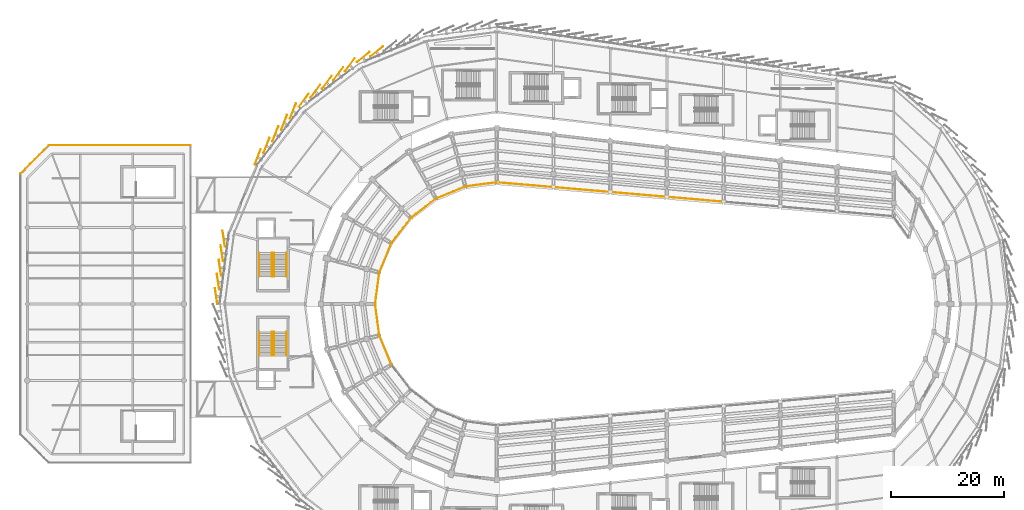
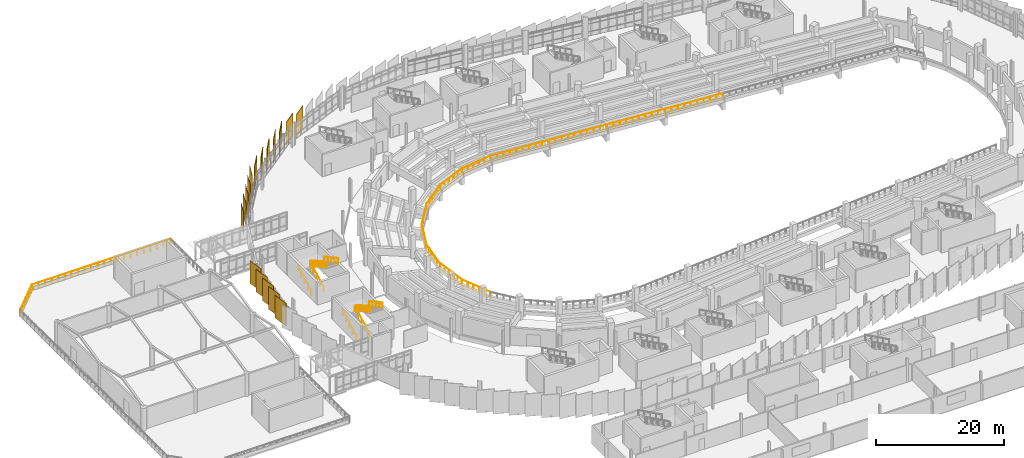
# One storey, part 114 of 120: 24 railings, 17 coverings.
"""IFC4 building model written with IfcOpenShell, lengths in metres."""

import ifcopenshell
import ifcopenshell.guid

model = None  # the IFC model being written
_history = None  # IfcOwnerHistory: only IFC2X3 demands one
_inside = {}  # id of a spatial element -> (the spatial element, [elements in it])
_under = {}  # id of a project, library or spatial element -> (it, [spatial elements below it])
_declared = {}  # id of a project -> (the project, [libraries it declares])
_typed = {}  # id of a type object -> (the type object, [elements of that type])
_made_of = {}  # id of a material, layer set ... -> (it, [elements and type objects made of it])


def new_model(schema):
    """Start an empty IFC model of exactly this schema.

    Asked for "IFC4X3", IfcOpenShell would pick the latest addendum, in which some entities
    have other attributes; the version numbers below select the first issue.
    IFC2X3 requires an IfcOwnerHistory on every rooted entity: one is made here for all.
    """
    global model, _history
    if schema == "IFC4X3":
        model = ifcopenshell.file(schema_version=(4, 3, 0, 0))
    else:
        model = ifcopenshell.file(schema=schema)
    _inside.clear()
    _under.clear()
    _declared.clear()
    _typed.clear()
    _made_of.clear()
    _history = None
    if model.schema == "IFC2X3":
        org = make("IfcOrganization", Name="unknown")
        user = make(
            "IfcPersonAndOrganization",
            ThePerson=make("IfcPerson", FamilyName="unknown"),
            TheOrganization=org,
        )
        app = make(
            "IfcApplication",
            ApplicationDeveloper=org,
            Version="unknown",
            ApplicationFullName="unknown",
            ApplicationIdentifier="unknown",
        )
        _history = make(
            "IfcOwnerHistory",
            OwningUser=user,
            OwningApplication=app,
            ChangeAction="ADDED",
            CreationDate=0,
        )
    return model


def make(cls, **values):
    """One entity of the class cls with the attributes given. An attribute that is None is left unset."""
    return model.create_entity(
        cls, **{name: value for name, value in values.items() if value is not None}
    )


def rooted(cls, **values):
    """An entity with a GlobalId (a new one), such as an element, a storey or a relation."""
    return make(cls, GlobalId=ifcopenshell.guid.new(), OwnerHistory=_history, **values)


def si_unit(unit_type, name, prefix=None):
    """IfcSIUnit, for example si_unit("LENGTHUNIT", "METRE", prefix="MILLI")."""
    return make("IfcSIUnit", UnitType=unit_type, Prefix=prefix, Name=name)


def assignment(units):
    """IfcUnitAssignment: the units of a project."""
    return None if units is None else make("IfcUnitAssignment", Units=units)


def point(xyz):
    """IfcCartesianPoint."""
    return None if xyz is None else make("IfcCartesianPoint", Coordinates=xyz)


def direction(xyz):
    """IfcDirection."""
    return None if xyz is None else make("IfcDirection", DirectionRatios=xyz)


def frame(location, z_axis=None, x_axis=None):
    """IfcAxis2Placement3D, a coordinate frame: its origin and axes. An axis left out is left unset."""
    return make(
        "IfcAxis2Placement3D",
        Location=point(location),
        Axis=direction(z_axis),
        RefDirection=direction(x_axis),
    )


def frame_2d(location, x_axis=None):
    """IfcAxis2Placement2D, a coordinate frame in the plane: its origin and x axis."""
    return make(
        "IfcAxis2Placement2D", Location=point(location), RefDirection=direction(x_axis)
    )


def origin():
    """The frame at (0, 0, 0) with its axes left unset."""
    return frame((0.0, 0.0, 0.0))


def origin_2d():
    """The frame at (0, 0) in the plane with its x axis left unset."""
    return frame_2d((0.0, 0.0))


def place(relative_to, where):
    """IfcLocalPlacement: puts the frame where relative to a parent placement (None: the world)."""
    return make(
        "IfcLocalPlacement", PlacementRelTo=relative_to, RelativePlacement=where
    )


def context(
    kind, dimensions, precision=None, world=None, true_north=None, identifier=None
):
    """IfcGeometricRepresentationContext, for example the 3D "Model" context."""
    return make(
        "IfcGeometricRepresentationContext",
        ContextIdentifier=identifier,
        ContextType=kind,
        CoordinateSpaceDimension=dimensions,
        Precision=precision,
        WorldCoordinateSystem=world,
        TrueNorth=true_north,
    )


def subcontext(parent, identifier, kind, view, scale=None):
    """IfcGeometricRepresentationSubContext, for example "Body" below "Model"."""
    return make(
        "IfcGeometricRepresentationSubContext",
        ContextIdentifier=identifier,
        ContextType=kind,
        ParentContext=parent,
        TargetScale=scale,
        TargetView=view,
    )


def project(units=None, contexts=None):
    """IfcProject with its units and contexts."""
    return rooted(
        "IfcProject",
        Name="project",
        RepresentationContexts=contexts,
        UnitsInContext=assignment(units),
    )


def spatial(cls, under=None, at=None, **own):
    """A site, building, storey or space (cls), placed at a placement, below another one or the project."""
    s = rooted(cls, ObjectPlacement=at, **own)
    if under is not None:
        _under.setdefault(under.id(), (under, []))[1].append(s)
    return s


def profile(cls, at=None, kind="AREA", **sizes):
    """A parametric profile (cls). Its sizes go by their IFC names, for example OverallWidth=200.0."""
    return make(cls, ProfileType=kind, Position=at, **sizes)


def rectangle(**sizes):
    """IfcRectangleProfileDef."""
    return profile("IfcRectangleProfileDef", **sizes)


def circle(**sizes):
    """IfcCircleProfileDef."""
    return profile("IfcCircleProfileDef", **sizes)


def extrude(swept, where, along, depth):
    """IfcExtrudedAreaSolid: the profile swept, set in the frame where, extruded along a direction by depth."""
    return make(
        "IfcExtrudedAreaSolid",
        SweptArea=swept,
        Position=where,
        ExtrudedDirection=direction(along),
        Depth=depth,
    )


def shape(context_of_items, identifier, shape_type, items):
    """IfcShapeRepresentation: the items that make up one representation, for example the "Body"."""
    return make(
        "IfcShapeRepresentation",
        ContextOfItems=context_of_items,
        RepresentationIdentifier=identifier,
        RepresentationType=shape_type,
        Items=items,
    )


def material(Name=None, Category=None):
    """IfcMaterial."""
    return make("IfcMaterial", Name=Name, Category=Category)


def layer(
    of_material, thickness, ventilated=None, Name=None, Category=None, Priority=None
):
    """IfcMaterialLayer: one layer of a wall or slab, of a material (None: an air gap)."""
    return make(
        "IfcMaterialLayer",
        Material=of_material,
        LayerThickness=thickness,
        IsVentilated=ventilated,
        Name=Name,
        Category=Category,
        Priority=Priority,
    )


def layer_set(layers, Name=None):
    """IfcMaterialLayerSet."""
    return make("IfcMaterialLayerSet", MaterialLayers=layers, LayerSetName=Name)


def made_of(thing, what):
    """Note that an element or type object is made of a material, layer set ...; save() writes the relation."""
    if what is not None:
        _made_of.setdefault(what.id(), (what, []))[1].append(thing)
    return thing


def type_object(cls, material=None, **own):
    """A type object (cls), such as IfcWallType, which elements share."""
    return made_of(rooted(cls, **own), material)


def element(
    cls,
    number,
    at=None,
    inside=None,
    cuts=None,
    type_object=None,
    material=None,
    context=None,
    identifier="Body",
    shape_type=None,
    held_by="IfcProductDefinitionShape",
    body=None,
    shapes=None,
    **own,
):
    """One element of the class cls, such as IfcWall. Its Tag is "e" and its number.

    at: its placement. inside: the storey or other place that contains it. cuts: it is an
    opening in that element (IfcRelVoidsElement). A single representation is given by context,
    identifier, shape_type and body (its items); several are given by shapes. held_by: the class
    of the entity that holds the representations. save() writes the other relations.
    """
    e = rooted(cls, Tag="e%d" % number, ObjectPlacement=at, **own)
    if body is not None:
        shapes = [shape(context, identifier, shape_type, body)]
    if shapes is not None:
        e.Representation = make(held_by, Representations=shapes)
    if inside is not None:
        _inside.setdefault(inside.id(), (inside, []))[1].append(e)
    if cuts is not None:
        rooted(
            "IfcRelVoidsElement", RelatingBuildingElement=cuts, RelatedOpeningElement=e
        )
    if type_object is not None:
        _typed.setdefault(type_object.id(), (type_object, []))[1].append(e)
    return made_of(e, material)


def aggregate(whole, parts):
    """IfcRelAggregates: a whole, such as a stair, and the parts it consists of."""
    return rooted("IfcRelAggregates", RelatingObject=whole, RelatedObjects=parts)


def save(model, path):
    """Write the relations noted so far, then the file.

    IfcRelAggregates (storeys below a building ...), IfcRelContainedInSpatialStructure (elements
    in a storey), IfcRelDefinesByType, IfcRelAssociatesMaterial and IfcRelDeclares: one each for
    every whole, place, type object, material and project.
    """
    for whole, parts in _under.values():
        aggregate(whole, parts)
    for where, things in _inside.values():
        rooted(
            "IfcRelContainedInSpatialStructure",
            RelatedElements=things,
            RelatingStructure=where,
        )
    for kind, things in _typed.values():
        rooted("IfcRelDefinesByType", RelatedObjects=things, RelatingType=kind)
    for what, things in _made_of.values():
        rooted("IfcRelAssociatesMaterial", RelatedObjects=things, RelatingMaterial=what)
    for by, libraries in _declared.values():
        rooted("IfcRelDeclares", RelatingContext=by, RelatedDefinitions=libraries)
    model.write(path)


model = new_model("IFC4")

# Units and contexts
model_context = context("Model", 3, precision=1e-05, world=origin(), true_north=direction((0.0, 1.0)))
body_context = subcontext(model_context, "Body", "Model", "MODEL_VIEW")
ifc_project = project(units=[si_unit("LENGTHUNIT", "METRE"), si_unit("AREAUNIT", "SQUARE_METRE"), si_unit("VOLUMEUNIT", "CUBIC_METRE"), si_unit("PLANEANGLEUNIT", "RADIAN"), si_unit("MASSUNIT", "GRAM", prefix="KILO")], contexts=[model_context])

# Site, building, storey
site_placement = place(None, origin())
site = spatial("IfcSite", under=ifc_project, at=site_placement, CompositionType="ELEMENT")
building_placement = place(site_placement, origin())
building = spatial("IfcBuilding", under=site, at=building_placement, Name="Sohan Crest Arena", CompositionType="ELEMENT")
storey_placement = place(building_placement, frame((0.0, 0.0, 13.5)))
storey = spatial("IfcBuildingStorey", under=building, at=storey_placement, Name="L03", CompositionType="ELEMENT", Elevation=13.5)

# Railings
ifc_material_1 = material(Name="Powder-coated wrought steel balustrade", Category="steel")
railing_type_1 = type_object("IfcRailingType", Name="ARC-GRD-01", PredefinedType="GUARDRAIL", material=ifc_material_1)
for number, where, name in (
    (1, (58.5, 73.030029296875, 2.25), "Stair well slot guard GRD-005"),
    (2, (58.5, 87.030029296875, 2.25), "Stair well slot guard GRD-012"),
):
    element("IfcRailing", number, at=place(storey_placement, frame(where)), inside=storey, type_object=railing_type_1, Name=name, PredefinedType="GUARDRAIL", context=body_context, shape_type="SweptSolid", body=[
        extrude(circle(Radius=0.02392578125, at=origin_2d()), frame((0.0, 0.0, 1.076171875), z_axis=(0.0, -0.87313487534, 0.487478706678), x_axis=(1.0, 0.0, 0.0)), (0.0, 0.0, 1.0), 4.615478515625),
        extrude(circle(Radius=0.02099609375, at=origin_2d()), origin(), (0.0, 0.0, 1.0), 1.052001953125),
        extrude(circle(Radius=0.02099609375, at=origin_2d()), frame((0.0, -1.007568359375, 0.5625)), (0.0, 0.0, 1.0), 1.052001953125),
        extrude(circle(Radius=0.02099609375, at=origin_2d()), frame((0.0, -2.01513671875, 1.125)), (0.0, 0.0, 1.0), 1.052001953125),
        extrude(circle(Radius=0.02099609375, at=origin_2d()), frame((0.0, -3.0224609375, 1.6875)), (0.0, 0.0, 1.0), 1.052001953125),
        extrude(circle(Radius=0.02099609375, at=origin_2d()), frame((0.0, -4.030029296875, 2.25)), (0.0, 0.0, 1.0), 1.052001953125),
    ])
railing_1_placement = place(storey_placement, frame((43.9599609375, 106.0, 0.0)))
element("IfcRailing", 3, at=railing_1_placement, inside=storey, type_object=railing_type_1, Name="Foyer roof garden balustrade GRD-296", PredefinedType="GUARDRAIL", context=body_context, shape_type="SweptSolid", body=[
    extrude(circle(Radius=0.02392578125, at=origin_2d()), frame((0.0, 0.0, 1.076171875), z_axis=(-1.0, 0.0, 0.0), x_axis=(0.0, -1.0, 0.0)), (0.0, 0.0, 1.0), 24.919921875),
    extrude(circle(Radius=0.02099609375, at=origin_2d()), origin(), (0.0, 0.0, 1.0), 1.052001953125),
    extrude(circle(Radius=0.02099609375, at=origin_2d()), frame((-1.186767578125, 0.0, 0.0)), (0.0, 0.0, 1.0), 1.052001953125),
    extrude(circle(Radius=0.02099609375, at=origin_2d()), frame((-2.373291015625, 0.0, 0.0)), (0.0, 0.0, 1.0), 1.052001953125),
    extrude(circle(Radius=0.02099609375, at=origin_2d()), frame((-3.56005859375, 0.0, 0.0)), (0.0, 0.0, 1.0), 1.052001953125),
    extrude(circle(Radius=0.02099609375, at=origin_2d()), frame((-4.74658203125, 0.0, 0.0)), (0.0, 0.0, 1.0), 1.052001953125),
    extrude(circle(Radius=0.02099609375, at=origin_2d()), frame((-5.933349609375, 0.0, 0.0)), (0.0, 0.0, 1.0), 1.052001953125),
    extrude(circle(Radius=0.02099609375, at=origin_2d()), frame((-7.119873046875, 0.0, 0.0)), (0.0, 0.0, 1.0), 1.052001953125),
    extrude(circle(Radius=0.02099609375, at=origin_2d()), frame((-8.306640625, 0.0, 0.0)), (0.0, 0.0, 1.0), 1.052001953125),
    extrude(circle(Radius=0.02099609375, at=origin_2d()), frame((-9.493408203125, 0.0, 0.0)), (0.0, 0.0, 1.0), 1.052001953125),
    extrude(circle(Radius=0.02099609375, at=origin_2d()), frame((-10.679931640625, 0.0, 0.0)), (0.0, 0.0, 1.0), 1.052001953125),
    extrude(circle(Radius=0.02099609375, at=origin_2d()), frame((-11.86669921875, 0.0, 0.0)), (0.0, 0.0, 1.0), 1.052001953125),
    extrude(circle(Radius=0.02099609375, at=origin_2d()), frame((-13.05322265625, 0.0, 0.0)), (0.0, 0.0, 1.0), 1.052001953125),
    extrude(circle(Radius=0.02099609375, at=origin_2d()), frame((-14.239990234375, 0.0, 0.0)), (0.0, 0.0, 1.0), 1.052001953125),
    extrude(circle(Radius=0.02099609375, at=origin_2d()), frame((-15.426513671875, 0.0, 0.0)), (0.0, 0.0, 1.0), 1.052001953125),
    extrude(circle(Radius=0.02099609375, at=origin_2d()), frame((-16.61328125, 0.0, 0.0)), (0.0, 0.0, 1.0), 1.052001953125),
    extrude(circle(Radius=0.02099609375, at=origin_2d()), frame((-17.800048828125, 0.0, 0.0)), (0.0, 0.0, 1.0), 1.052001953125),
    extrude(circle(Radius=0.02099609375, at=origin_2d()), frame((-18.986572265625, 0.0, 0.0)), (0.0, 0.0, 1.0), 1.052001953125),
    extrude(circle(Radius=0.02099609375, at=origin_2d()), frame((-20.17333984375, 0.0, 0.0)), (0.0, 0.0, 1.0), 1.052001953125),
    extrude(circle(Radius=0.02099609375, at=origin_2d()), frame((-21.35986328125, 0.0, 0.0)), (0.0, 0.0, 1.0), 1.052001953125),
    extrude(circle(Radius=0.02099609375, at=origin_2d()), frame((-22.546630859375, 0.0, 0.0)), (0.0, 0.0, 1.0), 1.052001953125),
    extrude(circle(Radius=0.02099609375, at=origin_2d()), frame((-23.733154296875, 0.0, 0.0)), (0.0, 0.0, 1.0), 1.052001953125),
    extrude(circle(Radius=0.02099609375, at=origin_2d()), frame((-24.919921875, 0.0, 0.0)), (0.0, 0.0, 1.0), 1.052001953125),
])
railing_2_placement = place(storey_placement, frame((18.971923828125, 105.971923828125, 0.0)))
element("IfcRailing", 4, at=railing_2_placement, inside=storey, type_object=railing_type_1, Name="Foyer roof garden balustrade GRD-297", PredefinedType="GUARDRAIL", context=body_context, shape_type="SweptSolid", body=[
    extrude(circle(Radius=0.02392578125, at=origin_2d()), frame((0.0, 0.0, 1.076171875), z_axis=(-0.707106781187, -0.707106781187, 0.0), x_axis=(0.707106781187, -0.707106781187, 0.0)), (0.0, 0.0, 1.0), 6.99169921875),
    extrude(circle(Radius=0.02099609375, at=origin_2d()), origin(), (0.0, 0.0, 1.0), 1.052001953125),
    extrude(circle(Radius=0.02099609375, at=origin_2d()), frame((-0.823974609375, -0.823974609375, 0.0)), (0.0, 0.0, 1.0), 1.052001953125),
    extrude(circle(Radius=0.02099609375, at=origin_2d()), frame((-1.64794921875, -1.64794921875, 0.0)), (0.0, 0.0, 1.0), 1.052001953125),
    extrude(circle(Radius=0.02099609375, at=origin_2d()), frame((-2.471923828125, -2.471923828125, 0.0)), (0.0, 0.0, 1.0), 1.052001953125),
    extrude(circle(Radius=0.02099609375, at=origin_2d()), frame((-3.2958984375, -3.2958984375, 0.0)), (0.0, 0.0, 1.0), 1.052001953125),
    extrude(circle(Radius=0.02099609375, at=origin_2d()), frame((-4.119873046875, -4.119873046875, 0.0)), (0.0, 0.0, 1.0), 1.052001953125),
    extrude(circle(Radius=0.02099609375, at=origin_2d()), frame((-4.94384765625, -4.94384765625, 0.0)), (0.0, 0.0, 1.0), 1.052001953125),
])
ifc_material_2 = material(Name="Laminated glass and steel sightline guard", Category="steel")
railing_type_2 = type_object("IfcRailingType", Name="ARC-GRD-02", PredefinedType="GUARDRAIL", material=ifc_material_2)
railing_3_placement = place(storey_placement, frame((97.9599609375, 99.445068359375, 0.85009765625)))
element("IfcRailing", 5, at=railing_3_placement, inside=storey, type_object=railing_type_2, Name="Upper tier cantilevered sightline guard GRD-157", PredefinedType="GUARDRAIL", context=body_context, shape_type="SweptSolid", body=[
    extrude(circle(Radius=0.02392578125, at=origin_2d()), frame((0.0, 0.0, 1.1259765625), z_axis=(-0.991431847367, -0.130625005366, 0.0), x_axis=(0.130625005366, -0.991431847367, 0.0)), (0.0, 0.0, 1.0), 5.519287109375),
    extrude(circle(Radius=0.02099609375, at=origin_2d()), origin(), (0.0, 0.0, 1.0), 1.101806640625),
    extrude(circle(Radius=0.02099609375, at=origin_2d()), frame((-1.094482421875, -0.144287109375, 0.0)), (0.0, 0.0, 1.0), 1.101806640625),
    extrude(circle(Radius=0.02099609375, at=origin_2d()), frame((-2.188720703125, -0.288330078125, 0.0)), (0.0, 0.0, 1.0), 1.101806640625),
    extrude(circle(Radius=0.02099609375, at=origin_2d()), frame((-3.283203125, -0.4326171875, 0.0)), (0.0, 0.0, 1.0), 1.101806640625),
    extrude(circle(Radius=0.02099609375, at=origin_2d()), frame((-4.37744140625, -0.57666015625, 0.0)), (0.0, 0.0, 1.0), 1.101806640625),
    extrude(circle(Radius=0.02099609375, at=origin_2d()), frame((-5.471923828125, -0.720947265625, 0.0)), (0.0, 0.0, 1.0), 1.101806640625),
])
railing_4_placement = place(storey_placement, frame((92.410888671875, 98.7041015625, 0.85009765625)))
element("IfcRailing", 6, at=railing_4_placement, inside=storey, type_object=railing_type_2, Name="Upper tier cantilevered sightline guard GRD-158", PredefinedType="GUARDRAIL", context=body_context, shape_type="SweptSolid", body=[
    extrude(circle(Radius=0.02392578125, at=origin_2d()), frame((0.0, 0.0, 1.1259765625), z_axis=(-0.92381462183, -0.382840103037, 0.0), x_axis=(0.382840103037, -0.92381462183, 0.0)), (0.0, 0.0, 1.0), 5.519287109375),
    extrude(circle(Radius=0.02099609375, at=origin_2d()), origin(), (0.0, 0.0, 1.0), 1.101806640625),
    extrude(circle(Radius=0.02099609375, at=origin_2d()), frame((-1.019775390625, -0.422607421875, 0.0)), (0.0, 0.0, 1.0), 1.101806640625),
    extrude(circle(Radius=0.02099609375, at=origin_2d()), frame((-2.03955078125, -0.84521484375, 0.0)), (0.0, 0.0, 1.0), 1.101806640625),
    extrude(circle(Radius=0.02099609375, at=origin_2d()), frame((-3.059326171875, -1.267822265625, 0.0)), (0.0, 0.0, 1.0), 1.101806640625),
    extrude(circle(Radius=0.02099609375, at=origin_2d()), frame((-4.0791015625, -1.6904296875, 0.0)), (0.0, 0.0, 1.0), 1.101806640625),
    extrude(circle(Radius=0.02099609375, at=origin_2d()), frame((-5.098876953125, -2.113037109375, 0.0)), (0.0, 0.0, 1.0), 1.101806640625),
])
railing_5_placement = place(storey_placement, frame((87.242919921875, 96.552001953125, 0.85009765625)))
element("IfcRailing", 7, at=railing_5_placement, inside=storey, type_object=railing_type_2, Name="Upper tier cantilevered sightline guard GRD-159", PredefinedType="GUARDRAIL", context=body_context, shape_type="SweptSolid", body=[
    extrude(circle(Radius=0.02392578125, at=origin_2d()), frame((0.0, 0.0, 1.1259765625), z_axis=(-0.793197524177, -0.608964438732, 0.0), x_axis=(0.608964438732, -0.793197524177, 0.0)), (0.0, 0.0, 1.0), 5.519287109375),
    extrude(circle(Radius=0.02099609375, at=origin_2d()), origin(), (0.0, 0.0, 1.0), 1.101806640625),
    extrude(circle(Radius=0.02099609375, at=origin_2d()), frame((-0.87548828125, -0.672119140625, 0.0)), (0.0, 0.0, 1.0), 1.101806640625),
    extrude(circle(Radius=0.02099609375, at=origin_2d()), frame((-1.751220703125, -1.344482421875, 0.0)), (0.0, 0.0, 1.0), 1.101806640625),
    extrude(circle(Radius=0.02099609375, at=origin_2d()), frame((-2.626708984375, -2.0166015625, 0.0)), (0.0, 0.0, 1.0), 1.101806640625),
    extrude(circle(Radius=0.02099609375, at=origin_2d()), frame((-3.50244140625, -2.68896484375, 0.0)), (0.0, 0.0, 1.0), 1.101806640625),
    extrude(circle(Radius=0.02099609375, at=origin_2d()), frame((-4.3779296875, -3.361083984375, 0.0)), (0.0, 0.0, 1.0), 1.101806640625),
])
railing_6_placement = place(storey_placement, frame((82.80908203125, 93.135009765625, 0.85009765625)))
element("IfcRailing", 8, at=railing_6_placement, inside=storey, type_object=railing_type_2, Name="Upper tier cantilevered sightline guard GRD-160", PredefinedType="GUARDRAIL", context=body_context, shape_type="SweptSolid", body=[
    extrude(circle(Radius=0.02392578125, at=origin_2d()), frame((0.0, 0.0, 1.1259765625), z_axis=(-0.608964438732, -0.793197524177, 0.0), x_axis=(0.793197524177, -0.608964438732, 0.0)), (0.0, 0.0, 1.0), 5.519287109375),
    extrude(circle(Radius=0.02099609375, at=origin_2d()), origin(), (0.0, 0.0, 1.0), 1.101806640625),
    extrude(circle(Radius=0.02099609375, at=origin_2d()), frame((-0.672119140625, -0.87548828125, 0.0)), (0.0, 0.0, 1.0), 1.101806640625),
    extrude(circle(Radius=0.02099609375, at=origin_2d()), frame((-1.344482421875, -1.751220703125, 0.0)), (0.0, 0.0, 1.0), 1.101806640625),
    extrude(circle(Radius=0.02099609375, at=origin_2d()), frame((-2.0166015625, -2.626708984375, 0.0)), (0.0, 0.0, 1.0), 1.101806640625),
    extrude(circle(Radius=0.02099609375, at=origin_2d()), frame((-2.68896484375, -3.50244140625, 0.0)), (0.0, 0.0, 1.0), 1.101806640625),
    extrude(circle(Radius=0.02099609375, at=origin_2d()), frame((-3.361083984375, -4.3779296875, 0.0)), (0.0, 0.0, 1.0), 1.101806640625),
])
railing_7_placement = place(storey_placement, frame((79.408935546875, 88.68798828125, 0.85009765625)))
element("IfcRailing", 9, at=railing_7_placement, inside=storey, type_object=railing_type_2, Name="Upper tier cantilevered sightline guard GRD-161", PredefinedType="GUARDRAIL", context=body_context, shape_type="SweptSolid", body=[
    extrude(circle(Radius=0.02392578125, at=origin_2d()), frame((0.0, 0.0, 1.1259765625), z_axis=(-0.382840103037, -0.92381462183, 0.0), x_axis=(0.92381462183, -0.382840103037, 0.0)), (0.0, 0.0, 1.0), 5.519287109375),
    extrude(circle(Radius=0.02099609375, at=origin_2d()), origin(), (0.0, 0.0, 1.0), 1.101806640625),
    extrude(circle(Radius=0.02099609375, at=origin_2d()), frame((-0.422607421875, -1.019775390625, 0.0)), (0.0, 0.0, 1.0), 1.101806640625),
    extrude(circle(Radius=0.02099609375, at=origin_2d()), frame((-0.84521484375, -2.03955078125, 0.0)), (0.0, 0.0, 1.0), 1.101806640625),
    extrude(circle(Radius=0.02099609375, at=origin_2d()), frame((-1.267822265625, -3.059326171875, 0.0)), (0.0, 0.0, 1.0), 1.101806640625),
    extrude(circle(Radius=0.02099609375, at=origin_2d()), frame((-1.6904296875, -4.0791015625, 0.0)), (0.0, 0.0, 1.0), 1.101806640625),
    extrude(circle(Radius=0.02099609375, at=origin_2d()), frame((-2.113037109375, -5.098876953125, 0.0)), (0.0, 0.0, 1.0), 1.101806640625),
])
railing_8_placement = place(storey_placement, frame((77.27587890625, 83.511962890625, 0.85009765625)))
element("IfcRailing", 10, at=railing_8_placement, inside=storey, type_object=railing_type_2, Name="Upper tier cantilevered sightline guard GRD-162", PredefinedType="GUARDRAIL", context=body_context, shape_type="SweptSolid", body=[
    extrude(circle(Radius=0.02392578125, at=origin_2d()), frame((0.0, 0.0, 1.1259765625), z_axis=(-0.130625005366, -0.991431847367, 0.0), x_axis=(0.991431847367, -0.130625005366, 0.0)), (0.0, 0.0, 1.0), 5.519287109375),
    extrude(circle(Radius=0.02099609375, at=origin_2d()), origin(), (0.0, 0.0, 1.0), 1.101806640625),
    extrude(circle(Radius=0.02099609375, at=origin_2d()), frame((-0.144287109375, -1.094482421875, 0.0)), (0.0, 0.0, 1.0), 1.101806640625),
    extrude(circle(Radius=0.02099609375, at=origin_2d()), frame((-0.288330078125, -2.188720703125, 0.0)), (0.0, 0.0, 1.0), 1.101806640625),
    extrude(circle(Radius=0.02099609375, at=origin_2d()), frame((-0.4326171875, -3.283203125, 0.0)), (0.0, 0.0, 1.0), 1.101806640625),
    extrude(circle(Radius=0.02099609375, at=origin_2d()), frame((-0.57666015625, -4.37744140625, 0.0)), (0.0, 0.0, 1.0), 1.101806640625),
    extrude(circle(Radius=0.02099609375, at=origin_2d()), frame((-0.720947265625, -5.471923828125, 0.0)), (0.0, 0.0, 1.0), 1.101806640625),
])
railing_9_placement = place(storey_placement, frame((76.554931640625, 77.9599609375, 0.85009765625)))
element("IfcRailing", 11, at=railing_9_placement, inside=storey, type_object=railing_type_2, Name="Upper tier cantilevered sightline guard GRD-163", PredefinedType="GUARDRAIL", context=body_context, shape_type="SweptSolid", body=[
    extrude(circle(Radius=0.02392578125, at=origin_2d()), frame((0.0, 0.0, 1.1259765625), z_axis=(0.130625005366, -0.991431847367, 0.0), x_axis=(0.991431847367, 0.130625005366, 0.0)), (0.0, 0.0, 1.0), 5.519287109375),
    extrude(circle(Radius=0.02099609375, at=origin_2d()), origin(), (0.0, 0.0, 1.0), 1.101806640625),
    extrude(circle(Radius=0.02099609375, at=origin_2d()), frame((0.144287109375, -1.094482421875, 0.0)), (0.0, 0.0, 1.0), 1.101806640625),
    extrude(circle(Radius=0.02099609375, at=origin_2d()), frame((0.288330078125, -2.188720703125, 0.0)), (0.0, 0.0, 1.0), 1.101806640625),
    extrude(circle(Radius=0.02099609375, at=origin_2d()), frame((0.4326171875, -3.283203125, 0.0)), (0.0, 0.0, 1.0), 1.101806640625),
    extrude(circle(Radius=0.02099609375, at=origin_2d()), frame((0.57666015625, -4.37744140625, 0.0)), (0.0, 0.0, 1.0), 1.101806640625),
    extrude(circle(Radius=0.02099609375, at=origin_2d()), frame((0.720947265625, -5.471923828125, 0.0)), (0.0, 0.0, 1.0), 1.101806640625),
])
railing_10_placement = place(storey_placement, frame((77.2958984375, 72.410888671875, 0.85009765625)))
element("IfcRailing", 12, at=railing_10_placement, inside=storey, type_object=railing_type_2, Name="Upper tier cantilevered sightline guard GRD-164", PredefinedType="GUARDRAIL", context=body_context, shape_type="SweptSolid", body=[
    extrude(circle(Radius=0.02392578125, at=origin_2d()), frame((0.0, 0.0, 1.1259765625), z_axis=(0.382840103037, -0.92381462183, 0.0), x_axis=(0.92381462183, 0.382840103037, 0.0)), (0.0, 0.0, 1.0), 5.519287109375),
    extrude(circle(Radius=0.02099609375, at=origin_2d()), origin(), (0.0, 0.0, 1.0), 1.101806640625),
    extrude(circle(Radius=0.02099609375, at=origin_2d()), frame((0.422607421875, -1.019775390625, 0.0)), (0.0, 0.0, 1.0), 1.101806640625),
    extrude(circle(Radius=0.02099609375, at=origin_2d()), frame((0.84521484375, -2.03955078125, 0.0)), (0.0, 0.0, 1.0), 1.101806640625),
    extrude(circle(Radius=0.02099609375, at=origin_2d()), frame((1.267822265625, -3.059326171875, 0.0)), (0.0, 0.0, 1.0), 1.101806640625),
    extrude(circle(Radius=0.02099609375, at=origin_2d()), frame((1.6904296875, -4.0791015625, 0.0)), (0.0, 0.0, 1.0), 1.101806640625),
    extrude(circle(Radius=0.02099609375, at=origin_2d()), frame((2.113037109375, -5.098876953125, 0.0)), (0.0, 0.0, 1.0), 1.101806640625),
])
railing_11_placement = place(storey_placement, frame((137.9599609375, 96.02392578125, 0.85009765625)))
element("IfcRailing", 13, at=railing_11_placement, inside=storey, type_object=railing_type_2, Name="Upper tier cantilevered sightline guard GRD-180", PredefinedType="GUARDRAIL", context=body_context, shape_type="SweptSolid", body=[
    extrude(circle(Radius=0.02392578125, at=origin_2d()), frame((0.0, 0.0, 1.1259765625), z_axis=(-0.996331491652, 0.085577793509, 0.0), x_axis=(-0.085577793509, -0.996331491652, 0.0)), (0.0, 0.0, 1.0), 9.95654296875),
    extrude(circle(Radius=0.02099609375, at=origin_2d()), origin(), (0.0, 0.0, 1.0), 1.101806640625),
    extrude(circle(Radius=0.02099609375, at=origin_2d()), frame((-1.102294921875, 0.0947265625, 0.0)), (0.0, 0.0, 1.0), 1.101806640625),
    extrude(circle(Radius=0.02099609375, at=origin_2d()), frame((-2.204345703125, 0.189453125, 0.0)), (0.0, 0.0, 1.0), 1.101806640625),
    extrude(circle(Radius=0.02099609375, at=origin_2d()), frame((-3.306640625, 0.283935546875, 0.0)), (0.0, 0.0, 1.0), 1.101806640625),
    extrude(circle(Radius=0.02099609375, at=origin_2d()), frame((-4.408935546875, 0.378662109375, 0.0)), (0.0, 0.0, 1.0), 1.101806640625),
    extrude(circle(Radius=0.02099609375, at=origin_2d()), frame((-5.510986328125, 0.473388671875, 0.0)), (0.0, 0.0, 1.0), 1.101806640625),
    extrude(circle(Radius=0.02099609375, at=origin_2d()), frame((-6.61328125, 0.568115234375, 0.0)), (0.0, 0.0, 1.0), 1.101806640625),
    extrude(circle(Radius=0.02099609375, at=origin_2d()), frame((-7.715576171875, 0.66259765625, 0.0)), (0.0, 0.0, 1.0), 1.101806640625),
    extrude(circle(Radius=0.02099609375, at=origin_2d()), frame((-8.817626953125, 0.75732421875, 0.0)), (0.0, 0.0, 1.0), 1.101806640625),
    extrude(circle(Radius=0.02099609375, at=origin_2d()), frame((-9.919921875, 0.85205078125, 0.0)), (0.0, 0.0, 1.0), 1.101806640625),
])
railing_12_placement = place(storey_placement, frame((127.9599609375, 96.882080078125, 0.85009765625)))
element("IfcRailing", 14, at=railing_12_placement, inside=storey, type_object=railing_type_2, Name="Upper tier cantilevered sightline guard GRD-181", PredefinedType="GUARDRAIL", context=body_context, shape_type="SweptSolid", body=[
    extrude(circle(Radius=0.02392578125, at=origin_2d()), frame((0.0, 0.0, 1.1259765625), z_axis=(-0.996341938042, 0.085456085206, 0.0), x_axis=(-0.085456085206, -0.996341938042, 0.0)), (0.0, 0.0, 1.0), 9.956298828125),
    extrude(circle(Radius=0.02099609375, at=origin_2d()), origin(), (0.0, 0.0, 1.0), 1.101806640625),
    extrude(circle(Radius=0.02099609375, at=origin_2d()), frame((-1.102294921875, 0.094482421875, 0.0)), (0.0, 0.0, 1.0), 1.101806640625),
    extrude(circle(Radius=0.02099609375, at=origin_2d()), frame((-2.204345703125, 0.18896484375, 0.0)), (0.0, 0.0, 1.0), 1.101806640625),
    extrude(circle(Radius=0.02099609375, at=origin_2d()), frame((-3.306640625, 0.28369140625, 0.0)), (0.0, 0.0, 1.0), 1.101806640625),
    extrude(circle(Radius=0.02099609375, at=origin_2d()), frame((-4.408935546875, 0.378173828125, 0.0)), (0.0, 0.0, 1.0), 1.101806640625),
    extrude(circle(Radius=0.02099609375, at=origin_2d()), frame((-5.510986328125, 0.47265625, 0.0)), (0.0, 0.0, 1.0), 1.101806640625),
    extrude(circle(Radius=0.02099609375, at=origin_2d()), frame((-6.61328125, 0.567138671875, 0.0)), (0.0, 0.0, 1.0), 1.101806640625),
    extrude(circle(Radius=0.02099609375, at=origin_2d()), frame((-7.715576171875, 0.661865234375, 0.0)), (0.0, 0.0, 1.0), 1.101806640625),
    extrude(circle(Radius=0.02099609375, at=origin_2d()), frame((-8.817626953125, 0.75634765625, 0.0)), (0.0, 0.0, 1.0), 1.101806640625),
    extrude(circle(Radius=0.02099609375, at=origin_2d()), frame((-9.919921875, 0.850830078125, 0.0)), (0.0, 0.0, 1.0), 1.101806640625),
])
for number, where, name in (
    (15, (117.9599609375, 97.739013671875, 0.85009765625), "Upper tier cantilevered sightline guard GRD-182"),
    (16, (107.9599609375, 98.595947265625, 0.85009765625), "Upper tier cantilevered sightline guard GRD-183"),
):
    element("IfcRailing", number, at=place(storey_placement, frame(where)), inside=storey, type_object=railing_type_2, Name=name, PredefinedType="GUARDRAIL", context=body_context, shape_type="SweptSolid", body=[
        extrude(circle(Radius=0.02392578125, at=origin_2d()), frame((0.0, 0.0, 1.1259765625), z_axis=(-0.996339849936, 0.085480427173, 0.0), x_axis=(-0.085480427173, -0.996339849936, 0.0)), (0.0, 0.0, 1.0), 9.956298828125),
        extrude(circle(Radius=0.02099609375, at=origin_2d()), origin(), (0.0, 0.0, 1.0), 1.101806640625),
        extrude(circle(Radius=0.02099609375, at=origin_2d()), frame((-1.102294921875, 0.094482421875, 0.0)), (0.0, 0.0, 1.0), 1.101806640625),
        extrude(circle(Radius=0.02099609375, at=origin_2d()), frame((-2.204345703125, 0.189208984375, 0.0)), (0.0, 0.0, 1.0), 1.101806640625),
        extrude(circle(Radius=0.02099609375, at=origin_2d()), frame((-3.306640625, 0.28369140625, 0.0)), (0.0, 0.0, 1.0), 1.101806640625),
        extrude(circle(Radius=0.02099609375, at=origin_2d()), frame((-4.408935546875, 0.378173828125, 0.0)), (0.0, 0.0, 1.0), 1.101806640625),
        extrude(circle(Radius=0.02099609375, at=origin_2d()), frame((-5.510986328125, 0.472900390625, 0.0)), (0.0, 0.0, 1.0), 1.101806640625),
        extrude(circle(Radius=0.02099609375, at=origin_2d()), frame((-6.61328125, 0.5673828125, 0.0)), (0.0, 0.0, 1.0), 1.101806640625),
        extrude(circle(Radius=0.02099609375, at=origin_2d()), frame((-7.715576171875, 0.661865234375, 0.0)), (0.0, 0.0, 1.0), 1.101806640625),
        extrude(circle(Radius=0.02099609375, at=origin_2d()), frame((-8.817626953125, 0.756591796875, 0.0)), (0.0, 0.0, 1.0), 1.101806640625),
        extrude(circle(Radius=0.02099609375, at=origin_2d()), frame((-9.919921875, 0.85107421875, 0.0)), (0.0, 0.0, 1.0), 1.101806640625),
    ])
ifc_material_3 = material(Name="Brushed stainless steel stair handrail", Category="steel")
railing_type_3 = type_object("IfcRailingType", Name="ARC-HR-01", PredefinedType="HANDRAIL", material=ifc_material_3)
for number, where, name in (
    (17, (56.110107421875, 68.85009765625, 0.0), "Stair pitch handrail HR-017"),
    (18, (58.2900390625, 68.85009765625, 0.0), "Stair pitch handrail HR-018"),
):
    element("IfcRailing", number, at=place(storey_placement, frame(where)), inside=storey, type_object=railing_type_3, Name=name, PredefinedType="HANDRAIL", context=body_context, shape_type="SweptSolid", body=[
        extrude(circle(Radius=0.02392578125, at=origin_2d()), frame((0.0, 0.0, 0.97607421875), z_axis=(0.0, 0.881477684796, 0.472225678258), x_axis=(-1.0, 0.0, 0.0)), (0.0, 0.0, 1.0), 4.7646484375),
        extrude(circle(Radius=0.02099609375, at=origin_2d()), origin(), (0.0, 0.0, 1.0), 0.951904296875),
        extrude(circle(Radius=0.02099609375, at=origin_2d()), frame((0.0, 1.050048828125, 0.5625)), (0.0, 0.0, 1.0), 0.951904296875),
        extrude(circle(Radius=0.02099609375, at=origin_2d()), frame((0.0, 2.10009765625, 1.125)), (0.0, 0.0, 1.0), 0.951904296875),
        extrude(circle(Radius=0.02099609375, at=origin_2d()), frame((0.0, 3.14990234375, 1.6875)), (0.0, 0.0, 1.0), 0.951904296875),
        extrude(circle(Radius=0.02099609375, at=origin_2d()), frame((0.0, 4.199951171875, 2.25)), (0.0, 0.0, 1.0), 0.951904296875),
    ])
for number, where, name in (
    (19, (58.7099609375, 73.050048828125, 2.25), "Stair pitch handrail HR-019"),
    (20, (60.889892578125, 73.050048828125, 2.25), "Stair pitch handrail HR-020"),
):
    element("IfcRailing", number, at=place(storey_placement, frame(where)), inside=storey, type_object=railing_type_3, Name=name, PredefinedType="HANDRAIL", context=body_context, shape_type="SweptSolid", body=[
        extrude(circle(Radius=0.02392578125, at=origin_2d()), frame((0.0, 0.0, 0.97607421875), z_axis=(0.0, -0.881477684796, 0.472225678258), x_axis=(1.0, 0.0, 0.0)), (0.0, 0.0, 1.0), 4.7646484375),
        extrude(circle(Radius=0.02099609375, at=origin_2d()), origin(), (0.0, 0.0, 1.0), 0.951904296875),
        extrude(circle(Radius=0.02099609375, at=origin_2d()), frame((0.0, -1.050048828125, 0.5625)), (0.0, 0.0, 1.0), 0.951904296875),
        extrude(circle(Radius=0.02099609375, at=origin_2d()), frame((0.0, -2.10009765625, 1.125)), (0.0, 0.0, 1.0), 0.951904296875),
        extrude(circle(Radius=0.02099609375, at=origin_2d()), frame((0.0, -3.14990234375, 1.6875)), (0.0, 0.0, 1.0), 0.951904296875),
        extrude(circle(Radius=0.02099609375, at=origin_2d()), frame((0.0, -4.199951171875, 2.25)), (0.0, 0.0, 1.0), 0.951904296875),
    ])
for number, where, name in (
    (21, (56.110107421875, 82.85009765625, 0.0), "Stair pitch handrail HR-041"),
    (22, (58.2900390625, 82.85009765625, 0.0), "Stair pitch handrail HR-042"),
):
    element("IfcRailing", number, at=place(storey_placement, frame(where)), inside=storey, type_object=railing_type_3, Name=name, PredefinedType="HANDRAIL", context=body_context, shape_type="SweptSolid", body=[
        extrude(circle(Radius=0.02392578125, at=origin_2d()), frame((0.0, 0.0, 0.97607421875), z_axis=(0.0, 0.881477684796, 0.472225678258), x_axis=(-1.0, 0.0, 0.0)), (0.0, 0.0, 1.0), 4.7646484375),
        extrude(circle(Radius=0.02099609375, at=origin_2d()), origin(), (0.0, 0.0, 1.0), 0.951904296875),
        extrude(circle(Radius=0.02099609375, at=origin_2d()), frame((0.0, 1.050048828125, 0.5625)), (0.0, 0.0, 1.0), 0.951904296875),
        extrude(circle(Radius=0.02099609375, at=origin_2d()), frame((0.0, 2.10009765625, 1.125)), (0.0, 0.0, 1.0), 0.951904296875),
        extrude(circle(Radius=0.02099609375, at=origin_2d()), frame((0.0, 3.14990234375, 1.6875)), (0.0, 0.0, 1.0), 0.951904296875),
        extrude(circle(Radius=0.02099609375, at=origin_2d()), frame((0.0, 4.199951171875, 2.25)), (0.0, 0.0, 1.0), 0.951904296875),
    ])
for number, where, name in (
    (23, (58.7099609375, 87.050048828125, 2.25), "Stair pitch handrail HR-043"),
    (24, (60.889892578125, 87.050048828125, 2.25), "Stair pitch handrail HR-044"),
):
    element("IfcRailing", number, at=place(storey_placement, frame(where)), inside=storey, type_object=railing_type_3, Name=name, PredefinedType="HANDRAIL", context=body_context, shape_type="SweptSolid", body=[
        extrude(circle(Radius=0.02392578125, at=origin_2d()), frame((0.0, 0.0, 0.97607421875), z_axis=(0.0, -0.881477684796, 0.472225678258), x_axis=(1.0, 0.0, 0.0)), (0.0, 0.0, 1.0), 4.7646484375),
        extrude(circle(Radius=0.02099609375, at=origin_2d()), origin(), (0.0, 0.0, 1.0), 0.951904296875),
        extrude(circle(Radius=0.02099609375, at=origin_2d()), frame((0.0, -1.050048828125, 0.5625)), (0.0, 0.0, 1.0), 0.951904296875),
        extrude(circle(Radius=0.02099609375, at=origin_2d()), frame((0.0, -2.10009765625, 1.125)), (0.0, 0.0, 1.0), 0.951904296875),
        extrude(circle(Radius=0.02099609375, at=origin_2d()), frame((0.0, -3.14990234375, 1.6875)), (0.0, 0.0, 1.0), 0.951904296875),
        extrude(circle(Radius=0.02099609375, at=origin_2d()), frame((0.0, -4.199951171875, 2.25)), (0.0, 0.0, 1.0), 0.951904296875),
    ])

# Coverings
ifc_material_4 = material(Name="Glazed ivory trencadis ceramic cladding", Category="masonry")
ifc_layer_1 = layer(ifc_material_4, 0.06494140625, Name="Glazed ivory trencadis ceramic cladding")
ifc_layer_set_1 = layer_set([ifc_layer_1], Name="Glazed ivory trencadis ceramic cladding")
covering_type_1 = type_object("IfcCoveringType", Name="COV-SC-IV", PredefinedType="CLADDING", material=ifc_layer_set_1)
for number, where, z_axis, x_axis, name in (
    (25, (76.797119140625, 122.51708984375, -0.2001953125), (0.0, 0.0, 1.0), (-0.782608156852, -0.622514636638, 0.0), "Rotated trencadis ceramic scale panel SC-0269"),
    (26, (72.074951171875, 120.175048828125, -0.2001953125), (0.0, 0.0, 1.0), (-0.594822786751, -0.803856860617, 0.0), "Rotated trencadis ceramic scale panel SC-0271"),
    (27, (70.049072265625, 118.62109375, -0.2001953125), (0.0, 0.0, 1.0), (-0.594822786751, -0.803856860617, 0.0), "Rotated trencadis ceramic scale panel SC-0272"),
    (28, (68.02294921875, 117.06591796875, -0.2001953125), (0.0, 0.0, 1.0), (-0.594822786751, -0.803856860617, 0.0), "Rotated trencadis ceramic scale panel SC-0273"),
    (29, (63.971923828125, 113.9580078125, -0.2001953125), (0.0, 0.0, 1.0), (-0.594822786751, -0.803856860617, 0.0), "Rotated trencadis ceramic scale panel SC-0275"),
    (30, (62.0419921875, 112.028076171875, -0.2001953125), (0.0, 0.0, 1.0), (-0.366501226724, -0.930417567982, 0.0), "Rotated trencadis ceramic scale panel SC-0276"),
    (31, (60.488037109375, 110.001953125, -0.2001953125), (0.0, 0.0, 1.0), (-0.366501226724, -0.930417567982, 0.0), "Rotated trencadis ceramic scale panel SC-0277"),
    (32, (57.37890625, 105.950927734375, -0.2001953125), (0.0, 0.0, 1.0), (-0.366501226724, -0.930417567982, 0.0), "Rotated trencadis ceramic scale panel SC-0279"),
    (33, (55.824951171875, 103.925048828125, -0.2001953125), (0.0, 0.0, 1.0), (-0.366501226724, -0.930417567982, 0.0), "Rotated trencadis ceramic scale panel SC-0280"),
    (34, (49.512939453125, 86.9580078125, -0.2001953125), (0.0, 0.0, 1.0), (0.14780941113, -0.989015863362, 0.0), "Rotated trencadis ceramic scale panel SC-0282"),
    (35, (49.179931640625, 84.427001953125, -0.2001953125), (0.0, 0.0, 1.0), (0.14780941113, -0.989015863362, 0.0), "Rotated trencadis ceramic scale panel SC-0283"),
    (36, (48.845947265625, 81.89599609375, -0.2001953125), (0.0, 0.0, 1.0), (0.14780941113, -0.989015863362, 0.0), "Rotated trencadis ceramic scale panel SC-0284"),
    (37, (48.512939453125, 79.364990234375, -0.2001953125), (0.0, 0.0, 1.0), (0.14780941113, -0.989015863362, 0.0), "Rotated trencadis ceramic scale panel SC-0285"),
):
    element("IfcCovering", number, at=place(storey_placement, frame(where, z_axis=z_axis, x_axis=x_axis)), inside=storey, type_object=covering_type_1, Name=name, PredefinedType="CLADDING", context=body_context, shape_type="SweptSolid", body=[
        extrude(rectangle(XDim=2.85009765625, YDim=0.06494140625, at=origin_2d()), origin(), (0.0, 0.0, 1.0), 4.300048828125),
    ])
ifc_material_5 = material(Name="Glazed terracotta trencadis ceramic cladding", Category="masonry")
ifc_layer_2 = layer(ifc_material_5, 0.074951171875, Name="Glazed terracotta trencadis ceramic cladding")
ifc_layer_set_2 = layer_set([ifc_layer_2], Name="Glazed terracotta trencadis ceramic cladding")
covering_type_2 = type_object("IfcCoveringType", Name="COV-SC-TC", PredefinedType="CLADDING", material=ifc_layer_set_2)
for number, where, z_axis, x_axis, name in (
    (38, (74.43896484375, 121.5400390625, -0.2001953125), (0.0, 0.0, 1.0), (-0.782608156852, -0.622514636638, 0.0), "Rotated trencadis ceramic scale panel SC-0270"),
    (39, (65.998046875, 115.511962890625, -0.2001953125), (0.0, 0.0, 1.0), (-0.594822786751, -0.803856860617, 0.0), "Rotated trencadis ceramic scale panel SC-0274"),
    (40, (58.93408203125, 107.97705078125, -0.2001953125), (0.0, 0.0, 1.0), (-0.366501226724, -0.930417567982, 0.0), "Rotated trencadis ceramic scale panel SC-0278"),
    (41, (49.845947265625, 89.489990234375, -0.2001953125), (0.0, 0.0, 1.0), (0.14780941113, -0.989015863362, 0.0), "Rotated trencadis ceramic scale panel SC-0281"),
):
    element("IfcCovering", number, at=place(storey_placement, frame(where, z_axis=z_axis, x_axis=x_axis)), inside=storey, type_object=covering_type_2, Name=name, PredefinedType="CLADDING", context=body_context, shape_type="SweptSolid", body=[
        extrude(rectangle(XDim=2.85009765625, YDim=0.074951171875, at=origin_2d()), origin(), (0.0, 0.0, 1.0), 4.300048828125),
    ])

save(model, "model.ifc")
